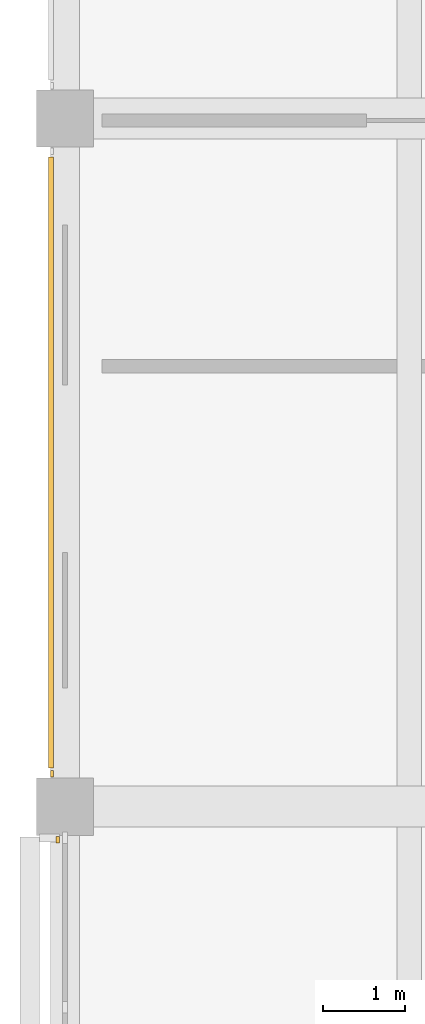
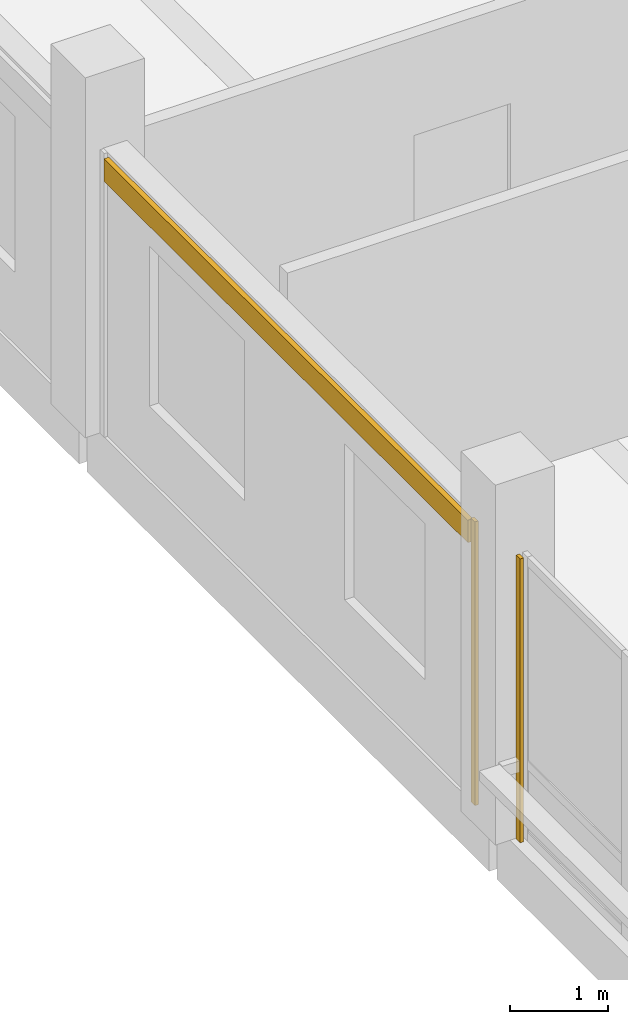
# One storey, part 24 of 35: 3 coverings.
"""IFC4 building model written with IfcOpenShell, lengths in metres."""

from ifc_helpers import new_model, si_unit, direction, frame, origin, origin_2d, place, context, subcontext, project, spatial, rectangle, extrude, material, layer, layer_set, type_object, element, save


model = new_model("IFC4")

# Units and contexts
model_context = context("Model", 3, precision=1e-05, world=origin(), true_north=direction((0.0, 1.0)))
body_context = subcontext(model_context, "Body", "Model", "MODEL_VIEW")
ifc_project = project(units=[si_unit("LENGTHUNIT", "METRE"), si_unit("AREAUNIT", "SQUARE_METRE"), si_unit("VOLUMEUNIT", "CUBIC_METRE"), si_unit("PLANEANGLEUNIT", "RADIAN"), si_unit("MASSUNIT", "GRAM", prefix="KILO")], contexts=[model_context])

# Site, building, storey
site_placement = place(None, origin())
site = spatial("IfcSite", under=ifc_project, at=site_placement, CompositionType="ELEMENT")
building_placement = place(site_placement, origin())
building = spatial("IfcBuilding", under=site, at=building_placement, Name="Telukmera Botanical Conservatory", CompositionType="ELEMENT")
storey_placement = place(building_placement, frame((0.0, 0.0, 46.5)))
storey = spatial("IfcBuildingStorey", under=building, at=storey_placement, Name="L10", CompositionType="ELEMENT", Elevation=46.5)

# Coverings
ifc_material_1 = material(Name="Granite-faced precast concrete C40/50", Category="masonry")
ifc_layer_1 = layer(ifc_material_1, 0.0400390625)
ifc_layer_set_1 = layer_set([ifc_layer_1], Name="Granite-faced precast concrete C40/50")
covering_type_1 = type_object("IfcCoveringType", Name="Granite Precast Column Pier Reveal Casing", PredefinedType="CLADDING", material=ifc_layer_set_1)
for number, where, z_axis, x_axis, name in (
    (1, (50.31005859375, 17.197998046875, 0.0), (0.0, 0.0, 1.0), (0.0, 1.0, 0.0), "Granite Pier Reveal V4:L10:W1 R"),
    (2, (50.239990234375, 18.001953125, 0.0), (0.0, 0.0, 1.0), (0.0, 1.0, 0.0), "Granite Pier Reveal V4:L10:W2 L"),
):
    element("IfcCovering", number, at=place(storey_placement, frame(where, z_axis=z_axis, x_axis=x_axis)), inside=storey, type_object=covering_type_1, Name=name, PredefinedType="CLADDING", context=body_context, shape_type="SweptSolid", body=[
        extrude(rectangle(XDim=0.080078125, YDim=0.0400390625, at=origin_2d()), origin(), (0.0, 0.0, 1.0), 3.550048828125),
    ])
ifc_material_2 = material(Name="Terracotta-faced precast concrete C40/50", Category="masonry")
ifc_layer_2 = layer(ifc_material_2, 0.06005859375)
ifc_layer_set_2 = layer_set([ifc_layer_2], Name="Terracotta-faced precast concrete C40/50")
covering_type_2 = type_object("IfcCoveringType", Name="Polychrome Terracotta Facade Band Cladding", PredefinedType="CLADDING", material=ifc_layer_set_2)
covering_placement = place(storey_placement, frame((50.22998046875, 21.800048828125, 3.22998046875), z_axis=(0.0, 0.0, 1.0), x_axis=(0.0, 1.0, 0.0)))
element("IfcCovering", 3, at=covering_placement, inside=storey, type_object=covering_type_2, Name="Polychrome Terracotta Band V4:L10:W2", PredefinedType="CLADDING", context=body_context, shape_type="SweptSolid", body=[
    extrude(rectangle(XDim=7.4560546875, YDim=0.06005859375, at=origin_2d()), origin(), (0.0, 0.0, 1.0), 0.280029296875),
])

save(model, "model.ifc")
